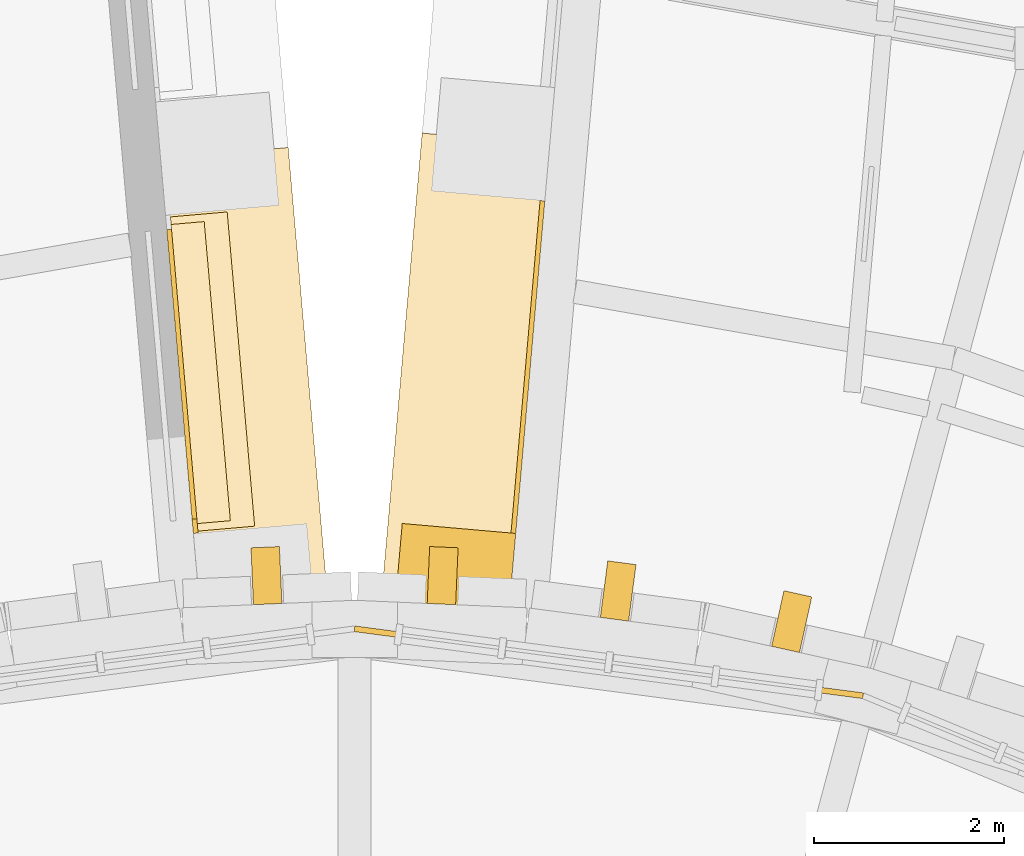
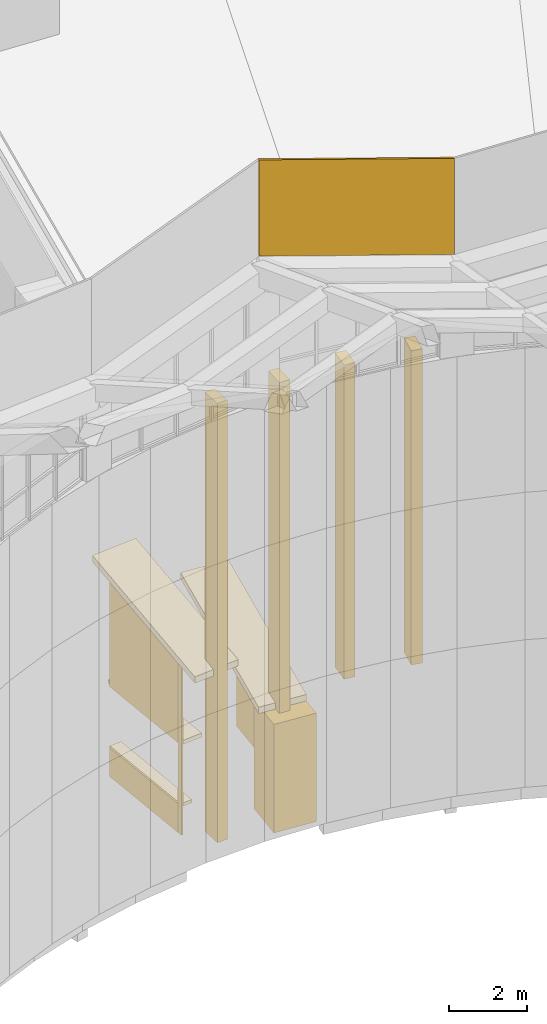
# One storey, part 69 of 82: 14 coverings.
"""IFC4 building model written with IfcOpenShell, lengths in metres."""

import ifcopenshell
import ifcopenshell.guid

model = None  # the IFC model being written
_history = None  # IfcOwnerHistory: only IFC2X3 demands one
_inside = {}  # id of a spatial element -> (the spatial element, [elements in it])
_under = {}  # id of a project, library or spatial element -> (it, [spatial elements below it])
_declared = {}  # id of a project -> (the project, [libraries it declares])
_typed = {}  # id of a type object -> (the type object, [elements of that type])
_made_of = {}  # id of a material, layer set ... -> (it, [elements and type objects made of it])


def new_model(schema):
    """Start an empty IFC model of exactly this schema.

    Asked for "IFC4X3", IfcOpenShell would pick the latest addendum, in which some entities
    have other attributes; the version numbers below select the first issue.
    IFC2X3 requires an IfcOwnerHistory on every rooted entity: one is made here for all.
    """
    global model, _history
    if schema == "IFC4X3":
        model = ifcopenshell.file(schema_version=(4, 3, 0, 0))
    else:
        model = ifcopenshell.file(schema=schema)
    _inside.clear()
    _under.clear()
    _declared.clear()
    _typed.clear()
    _made_of.clear()
    _history = None
    if model.schema == "IFC2X3":
        org = make("IfcOrganization", Name="unknown")
        user = make(
            "IfcPersonAndOrganization",
            ThePerson=make("IfcPerson", FamilyName="unknown"),
            TheOrganization=org,
        )
        app = make(
            "IfcApplication",
            ApplicationDeveloper=org,
            Version="unknown",
            ApplicationFullName="unknown",
            ApplicationIdentifier="unknown",
        )
        _history = make(
            "IfcOwnerHistory",
            OwningUser=user,
            OwningApplication=app,
            ChangeAction="ADDED",
            CreationDate=0,
        )
    return model


def make(cls, **values):
    """One entity of the class cls with the attributes given. An attribute that is None is left unset."""
    return model.create_entity(
        cls, **{name: value for name, value in values.items() if value is not None}
    )


def rooted(cls, **values):
    """An entity with a GlobalId (a new one), such as an element, a storey or a relation."""
    return make(cls, GlobalId=ifcopenshell.guid.new(), OwnerHistory=_history, **values)


def si_unit(unit_type, name, prefix=None):
    """IfcSIUnit, for example si_unit("LENGTHUNIT", "METRE", prefix="MILLI")."""
    return make("IfcSIUnit", UnitType=unit_type, Prefix=prefix, Name=name)


def assignment(units):
    """IfcUnitAssignment: the units of a project."""
    return None if units is None else make("IfcUnitAssignment", Units=units)


def point(xyz):
    """IfcCartesianPoint."""
    return None if xyz is None else make("IfcCartesianPoint", Coordinates=xyz)


def direction(xyz):
    """IfcDirection."""
    return None if xyz is None else make("IfcDirection", DirectionRatios=xyz)


def frame(location, z_axis=None, x_axis=None):
    """IfcAxis2Placement3D, a coordinate frame: its origin and axes. An axis left out is left unset."""
    return make(
        "IfcAxis2Placement3D",
        Location=point(location),
        Axis=direction(z_axis),
        RefDirection=direction(x_axis),
    )


def frame_2d(location, x_axis=None):
    """IfcAxis2Placement2D, a coordinate frame in the plane: its origin and x axis."""
    return make(
        "IfcAxis2Placement2D", Location=point(location), RefDirection=direction(x_axis)
    )


def origin():
    """The frame at (0, 0, 0) with its axes left unset."""
    return frame((0.0, 0.0, 0.0))


def origin_2d():
    """The frame at (0, 0) in the plane with its x axis left unset."""
    return frame_2d((0.0, 0.0))


def place(relative_to, where):
    """IfcLocalPlacement: puts the frame where relative to a parent placement (None: the world)."""
    return make(
        "IfcLocalPlacement", PlacementRelTo=relative_to, RelativePlacement=where
    )


def context(
    kind, dimensions, precision=None, world=None, true_north=None, identifier=None
):
    """IfcGeometricRepresentationContext, for example the 3D "Model" context."""
    return make(
        "IfcGeometricRepresentationContext",
        ContextIdentifier=identifier,
        ContextType=kind,
        CoordinateSpaceDimension=dimensions,
        Precision=precision,
        WorldCoordinateSystem=world,
        TrueNorth=true_north,
    )


def subcontext(parent, identifier, kind, view, scale=None):
    """IfcGeometricRepresentationSubContext, for example "Body" below "Model"."""
    return make(
        "IfcGeometricRepresentationSubContext",
        ContextIdentifier=identifier,
        ContextType=kind,
        ParentContext=parent,
        TargetScale=scale,
        TargetView=view,
    )


def project(units=None, contexts=None):
    """IfcProject with its units and contexts."""
    return rooted(
        "IfcProject",
        Name="project",
        RepresentationContexts=contexts,
        UnitsInContext=assignment(units),
    )


def spatial(cls, under=None, at=None, **own):
    """A site, building, storey or space (cls), placed at a placement, below another one or the project."""
    s = rooted(cls, ObjectPlacement=at, **own)
    if under is not None:
        _under.setdefault(under.id(), (under, []))[1].append(s)
    return s


def polyline(points):
    """IfcPolyline through the points."""
    return make("IfcPolyline", Points=[point(p) for p in points])


def profile(cls, at=None, kind="AREA", **sizes):
    """A parametric profile (cls). Its sizes go by their IFC names, for example OverallWidth=200.0."""
    return make(cls, ProfileType=kind, Position=at, **sizes)


def rectangle(**sizes):
    """IfcRectangleProfileDef."""
    return profile("IfcRectangleProfileDef", **sizes)


def outline(outer, holes=None, kind="AREA"):
    """IfcArbitraryClosedProfileDef: a profile drawn as a closed curve; with holes, ...WithVoids."""
    if holes is None:
        return make("IfcArbitraryClosedProfileDef", ProfileType=kind, OuterCurve=outer)
    return make(
        "IfcArbitraryProfileDefWithVoids",
        ProfileType=kind,
        OuterCurve=outer,
        InnerCurves=holes,
    )


def extrude(swept, where, along, depth):
    """IfcExtrudedAreaSolid: the profile swept, set in the frame where, extruded along a direction by depth."""
    return make(
        "IfcExtrudedAreaSolid",
        SweptArea=swept,
        Position=where,
        ExtrudedDirection=direction(along),
        Depth=depth,
    )


def shape(context_of_items, identifier, shape_type, items):
    """IfcShapeRepresentation: the items that make up one representation, for example the "Body"."""
    return make(
        "IfcShapeRepresentation",
        ContextOfItems=context_of_items,
        RepresentationIdentifier=identifier,
        RepresentationType=shape_type,
        Items=items,
    )


def material(Name=None, Category=None):
    """IfcMaterial."""
    return make("IfcMaterial", Name=Name, Category=Category)


def layer(
    of_material, thickness, ventilated=None, Name=None, Category=None, Priority=None
):
    """IfcMaterialLayer: one layer of a wall or slab, of a material (None: an air gap)."""
    return make(
        "IfcMaterialLayer",
        Material=of_material,
        LayerThickness=thickness,
        IsVentilated=ventilated,
        Name=Name,
        Category=Category,
        Priority=Priority,
    )


def layer_set(layers, Name=None):
    """IfcMaterialLayerSet."""
    return make("IfcMaterialLayerSet", MaterialLayers=layers, LayerSetName=Name)


def made_of(thing, what):
    """Note that an element or type object is made of a material, layer set ...; save() writes the relation."""
    if what is not None:
        _made_of.setdefault(what.id(), (what, []))[1].append(thing)
    return thing


def type_object(cls, material=None, **own):
    """A type object (cls), such as IfcWallType, which elements share."""
    return made_of(rooted(cls, **own), material)


def element(
    cls,
    number,
    at=None,
    inside=None,
    cuts=None,
    type_object=None,
    material=None,
    context=None,
    identifier="Body",
    shape_type=None,
    held_by="IfcProductDefinitionShape",
    body=None,
    shapes=None,
    **own,
):
    """One element of the class cls, such as IfcWall. Its Tag is "e" and its number.

    at: its placement. inside: the storey or other place that contains it. cuts: it is an
    opening in that element (IfcRelVoidsElement). A single representation is given by context,
    identifier, shape_type and body (its items); several are given by shapes. held_by: the class
    of the entity that holds the representations. save() writes the other relations.
    """
    e = rooted(cls, Tag="e%d" % number, ObjectPlacement=at, **own)
    if body is not None:
        shapes = [shape(context, identifier, shape_type, body)]
    if shapes is not None:
        e.Representation = make(held_by, Representations=shapes)
    if inside is not None:
        _inside.setdefault(inside.id(), (inside, []))[1].append(e)
    if cuts is not None:
        rooted(
            "IfcRelVoidsElement", RelatingBuildingElement=cuts, RelatedOpeningElement=e
        )
    if type_object is not None:
        _typed.setdefault(type_object.id(), (type_object, []))[1].append(e)
    return made_of(e, material)


def aggregate(whole, parts):
    """IfcRelAggregates: a whole, such as a stair, and the parts it consists of."""
    return rooted("IfcRelAggregates", RelatingObject=whole, RelatedObjects=parts)


def save(model, path):
    """Write the relations noted so far, then the file.

    IfcRelAggregates (storeys below a building ...), IfcRelContainedInSpatialStructure (elements
    in a storey), IfcRelDefinesByType, IfcRelAssociatesMaterial and IfcRelDeclares: one each for
    every whole, place, type object, material and project.
    """
    for whole, parts in _under.values():
        aggregate(whole, parts)
    for where, things in _inside.values():
        rooted(
            "IfcRelContainedInSpatialStructure",
            RelatedElements=things,
            RelatingStructure=where,
        )
    for kind, things in _typed.values():
        rooted("IfcRelDefinesByType", RelatedObjects=things, RelatingType=kind)
    for what, things in _made_of.values():
        rooted("IfcRelAssociatesMaterial", RelatedObjects=things, RelatingMaterial=what)
    for by, libraries in _declared.values():
        rooted("IfcRelDeclares", RelatingContext=by, RelatedDefinitions=libraries)
    model.write(path)


model = new_model("IFC4")

# Units and contexts
model_context = context("Model", 3, precision=1e-05, world=origin(), true_north=direction((0.0, 1.0)))
body_context = subcontext(model_context, "Body", "Model", "MODEL_VIEW")
ifc_project = project(units=[si_unit("LENGTHUNIT", "METRE"), si_unit("AREAUNIT", "SQUARE_METRE"), si_unit("VOLUMEUNIT", "CUBIC_METRE"), si_unit("PLANEANGLEUNIT", "RADIAN"), si_unit("MASSUNIT", "GRAM", prefix="KILO")], contexts=[model_context])

# Site, building, storey
site_placement = place(None, origin())
site = spatial("IfcSite", under=ifc_project, at=site_placement, CompositionType="ELEMENT")
building_placement = place(site_placement, origin())
building = spatial("IfcBuilding", under=site, at=building_placement, Name="Volute Hill Aquarium", CompositionType="ELEMENT")
storey_placement = place(building_placement, frame((0.0, 0.0, 13.800048828125)))
storey = spatial("IfcBuildingStorey", under=building, at=storey_placement, Name="L04", CompositionType="ELEMENT", Elevation=13.800048828125)

# Coverings
ifc_material_1 = material(Name="Precast pale concrete C40/50", Category="concrete")
covering_type_1 = type_object("IfcCoveringType", Name="Drum pier fin 300x600", PredefinedType="CLADDING", material=ifc_material_1)
for number, where, z_axis, x_axis, name in (
    (1, (4.60595703125, 20.77587890625, 3.89990234375), (0.0, 0.0, 1.0), (-0.97629600712, 0.216439613938, 0.0), "Drum pier fin DF 16 L04"),
    (2, (2.777587890625, 21.09814453125, 3.89990234375), (0.0, 0.0, 1.0), (-0.991444861374, 0.13052619222, 0.0), "Drum pier fin DF 17 L04"),
):
    element("IfcCovering", number, at=place(storey_placement, frame(where, z_axis=z_axis, x_axis=x_axis)), inside=storey, type_object=covering_type_1, Name=name, PredefinedType="CLADDING", context=body_context, shape_type="SweptSolid", body=[
        extrude(rectangle(XDim=0.300048828125, YDim=0.60009765625, at=origin_2d()), origin(), (0.0, 0.0, 1.0), 9.800048828125),
    ])
for number, where, z_axis, x_axis, name in (
    (3, (0.92822265625, 21.260009765625, 0.0), (0.0, 0.0, 1.0), (-0.999048221582, 0.043619387365, 0.0), "Drum pier fin DF 18 L04"),
    (4, (-0.92822265625, 21.260009765625, 0.0), (0.0, 0.0, 1.0), (-0.999048221582, -0.043619387365, 0.0), "Drum pier fin DF 19 L04"),
):
    element("IfcCovering", number, at=place(storey_placement, frame(where, z_axis=z_axis, x_axis=x_axis)), inside=storey, type_object=covering_type_1, Name=name, PredefinedType="CLADDING", context=body_context, shape_type="SweptSolid", body=[
        extrude(rectangle(XDim=0.300048828125, YDim=0.60009765625, at=origin_2d()), origin(), (0.0, 0.0, 1.0), 13.699951171875),
    ])
ifc_material_2 = material(Name="Zinc")
ifc_layer_1 = layer(ifc_material_2, 0.06005859375)
ifc_layer_set_1 = layer_set([ifc_layer_1], Name="Eave fascia zinc 60")
covering_type_2 = type_object("IfcCoveringType", Name="Eave fascia zinc 60", PredefinedType="CLADDING", material=ifc_layer_set_1)
covering_1_placement = place(storey_placement, frame((5.361572265625, 20.0244140625, 16.699951171875), z_axis=(0.130521126954, 0.991445528216, 0.0), x_axis=(-0.959763944084, 0.126350331942, 0.250776325148)))
element("IfcCovering", 5, at=covering_1_placement, inside=storey, type_object=covering_type_2, Name="Eave fascia EF 6", PredefinedType="CLADDING", context=body_context, shape_type="SweptSolid", body=[
    extrude(outline(polyline([(0.0, 0.0), (5.582274733959821, -2.220446049250313e-16), (6.334603709404373, 2.9041351746615636), (0.7523289754445518, 2.9041351746615636), (0.0, 0.0)])), origin(), (0.0, 0.0, -1.0), 0.06005859375),
])
ifc_material_3 = material(Name="Precast concrete C40/50", Category="concrete")
covering_type_3 = type_object("IfcCoveringType", Name="End wall precast coping C40/50 1350x200", PredefinedType="CLADDING", material=ifc_material_3)
covering_2_placement = place(storey_placement, frame((1.645751953125, 21.10693359375, 3.385498046875), z_axis=(0.996192649769, -0.087179152014, 0.0), x_axis=(0.084433564332, 0.964818930191, 0.248988765126)))
element("IfcCovering", 6, at=covering_2_placement, inside=storey, type_object=covering_type_3, Name="End wall coping EWC S5B L04 1", PredefinedType="CLADDING", context=body_context, shape_type="SweptSolid", body=[
    extrude(outline(polyline([(0.0, 0.0), (4.869305420805515, 0.0), (4.919091016176262, 0.19365398428063907), (0.049785595370747164, 0.19365398428063915), (0.0, 0.0)])), origin(), (0.0, 0.0, -1.0), 1.35009765625),
])
covering_3_placement = place(storey_placement, frame((-0.301025390625, 21.224609375, 5.08544921875), z_axis=(0.996194878857, 0.087153676566, 0.0), x_axis=(-0.084409123117, 0.964823739988, 0.248978414105)))
element("IfcCovering", 7, at=covering_3_placement, inside=storey, type_object=covering_type_3, Name="End wall coping EWC S6A L04 1", PredefinedType="CLADDING", context=body_context, shape_type="SweptSolid", body=[
    extrude(outline(polyline([(0.0, 0.0), (4.711636176735391, 0.0), (4.761419702407336, 0.19365451635801478), (0.049783525671944946, 0.19365451635801473), (0.0, 0.0)])), origin(), (0.0, 0.0, -1.0), 1.35009765625),
])
ifc_material_4 = material(Name="Precast concrete C40/50", Category="concrete")
covering_type_4 = type_object("IfcCoveringType", Name="End wall precast fin C40/50 1200x1200", PredefinedType="CLADDING", material=ifc_material_4)
covering_4_placement = place(storey_placement, frame((1.048095703125, 21.1591796875, 0.0), z_axis=(0.0, 0.0, 1.0), x_axis=(0.087153815516, 0.996194866701, 0.0)))
element("IfcCovering", 8, at=covering_4_placement, inside=storey, type_object=covering_type_4, Name="End wall fin EWF S5B L04 1", PredefinedType="CLADDING", context=body_context, shape_type="SweptSolid", body=[
    extrude(rectangle(XDim=1.199951171875, YDim=1.199951171875, at=origin_2d()), origin(), (0.0, 0.0, 1.0), 3.385498046875),
])
ifc_material_5 = material(Name="Precast concrete C40/50", Category="concrete")
ifc_layer_2 = layer(ifc_material_5, 0.050048828125)
ifc_layer_set_2 = layer_set([ifc_layer_2], Name="End wall precast infill panel C40/50 50")
covering_type_5 = type_object("IfcCoveringType", Name="End wall precast infill panel C40/50 50", PredefinedType="CLADDING", material=ifc_layer_set_2)
covering_5_placement = place(storey_placement, frame((1.6982421875, 21.70458984375, 0.0), z_axis=(0.996195902867, -0.087141971011, 0.0), x_axis=(0.087141971011, 0.996195902867, 0.0)))
element("IfcCovering", 9, at=covering_5_placement, inside=storey, type_object=covering_type_5, Name="End wall panel EWP S5B L04 1", PredefinedType="CLADDING", context=body_context, shape_type="SweptSolid", body=[
    extrude(outline(polyline([(0.0, 0.0), (3.516060984386417, 0.0), (3.516060984386417, 4.443603515625), (0.0, 3.539794921875), (0.0, 0.0)])), origin(), (0.0, 0.0, -1.0), 0.050048828125),
])
covering_6_placement = place(storey_placement, frame((-1.6484375, 21.708984375, 0.0), z_axis=(0.99627106838, 0.086278376837, 0.0), x_axis=(-0.086278376837, 0.99627106838, 0.0)))
element("IfcCovering", 10, at=covering_6_placement, inside=storey, type_object=covering_type_5, Name="End wall panel EWP S6A L04 1", PredefinedType="CLADDING", context=body_context, shape_type="SweptSolid", body=[
    extrude(outline(polyline([(0.0, 0.0), (0.14997330269060552, 0.0), (0.14997330269060552, 5.278320312499999), (0.0, 5.239746093749999), (0.0, 0.0)])), origin(), (0.0, 0.0, -1.0), 0.050048828125),
])
covering_7_placement = place(storey_placement, frame((-1.661376953125, 21.8583984375, 0.0), z_axis=(0.99619198721, 0.087186722721, 0.0), x_axis=(-0.087186722721, 0.99619198721, 0.0)))
element("IfcCovering", 11, at=covering_7_placement, inside=storey, type_object=covering_type_5, Name="End wall panel EWP S6A L04 1", PredefinedType="CLADDING", context=body_context, shape_type="SweptSolid", body=[
    extrude(outline(polyline([(0.0, 0.0), (3.0634233678662803, 0.0), (3.0634233678662803, 0.89990234375), (0.0, 0.89990234375), (0.0, 0.0)])), origin(), (0.0, 0.0, -1.0), 0.050048828125),
])
covering_8_placement = place(storey_placement, frame((-1.661376953125, 21.8583984375, 2.800048828125), z_axis=(0.99619198721, 0.087186722721, 0.0), x_axis=(-0.087186722721, 0.99619198721, 0.0)))
element("IfcCovering", 12, at=covering_8_placement, inside=storey, type_object=covering_type_5, Name="End wall panel EWP S6A L04 1", PredefinedType="CLADDING", context=body_context, shape_type="SweptSolid", body=[
    extrude(outline(polyline([(0.0, 0.0), (3.0634233678662803, 0.0), (3.0634233678662803, 3.2656249999999996), (0.0, 2.4782714843749996), (0.0, 0.0)])), origin(), (0.0, 0.0, -1.0), 0.050048828125),
])
ifc_material_6 = material(Name="Precast concrete C40/50", Category="concrete")
ifc_layer_3 = layer(ifc_material_6, 0.1201171875)
ifc_layer_set_3 = layer_set([ifc_layer_3], Name="End wall window head blade precast C40/50 600x120")
covering_type_6 = type_object("IfcCoveringType", Name="End wall window head blade precast C40/50 600x120", PredefinedType="CLADDING", material=ifc_layer_set_3)
covering_9_placement = place(storey_placement, frame((-1.49609375, 23.410400390625, 2.7998046875), z_axis=(0.0, 0.0, 1.0), x_axis=(-0.08715511842, 0.996194752713, 0.0)))
element("IfcCovering", 13, at=covering_9_placement, inside=storey, type_object=covering_type_6, Name="End wall window head blade EWB S6A L04 1.1", PredefinedType="CLADDING", context=body_context, shape_type="SweptSolid", body=[
    extrude(rectangle(XDim=3.3232421875, YDim=0.60009765625, at=origin_2d()), origin(), (0.0, 0.0, 1.0), 0.1201171875),
])
ifc_material_7 = material(Name="Precast concrete C40/50", Category="concrete")
ifc_layer_4 = layer(ifc_material_7, 0.10009765625)
ifc_layer_set_4 = layer_set([ifc_layer_4], Name="End wall window sill precast C40/50 350x100")
covering_type_7 = type_object("IfcCoveringType", Name="End wall window sill precast C40/50 350x100", PredefinedType="CLADDING", material=ifc_layer_set_4)
covering_10_placement = place(storey_placement, frame((-1.62060546875, 23.3994140625, 0.7998046875), z_axis=(0.0, 0.0, 1.0), x_axis=(-0.08715511842, 0.996194752713, 0.0)))
element("IfcCovering", 14, at=covering_10_placement, inside=storey, type_object=covering_type_7, Name="End wall window sill EWS S6A L04 1.1", PredefinedType="CLADDING", context=body_context, shape_type="SweptSolid", body=[
    extrude(rectangle(XDim=3.163330078125, YDim=0.35009765625, at=origin_2d()), origin(), (0.0, 0.0, 1.0), 0.10009765625),
])

save(model, "model.ifc")
